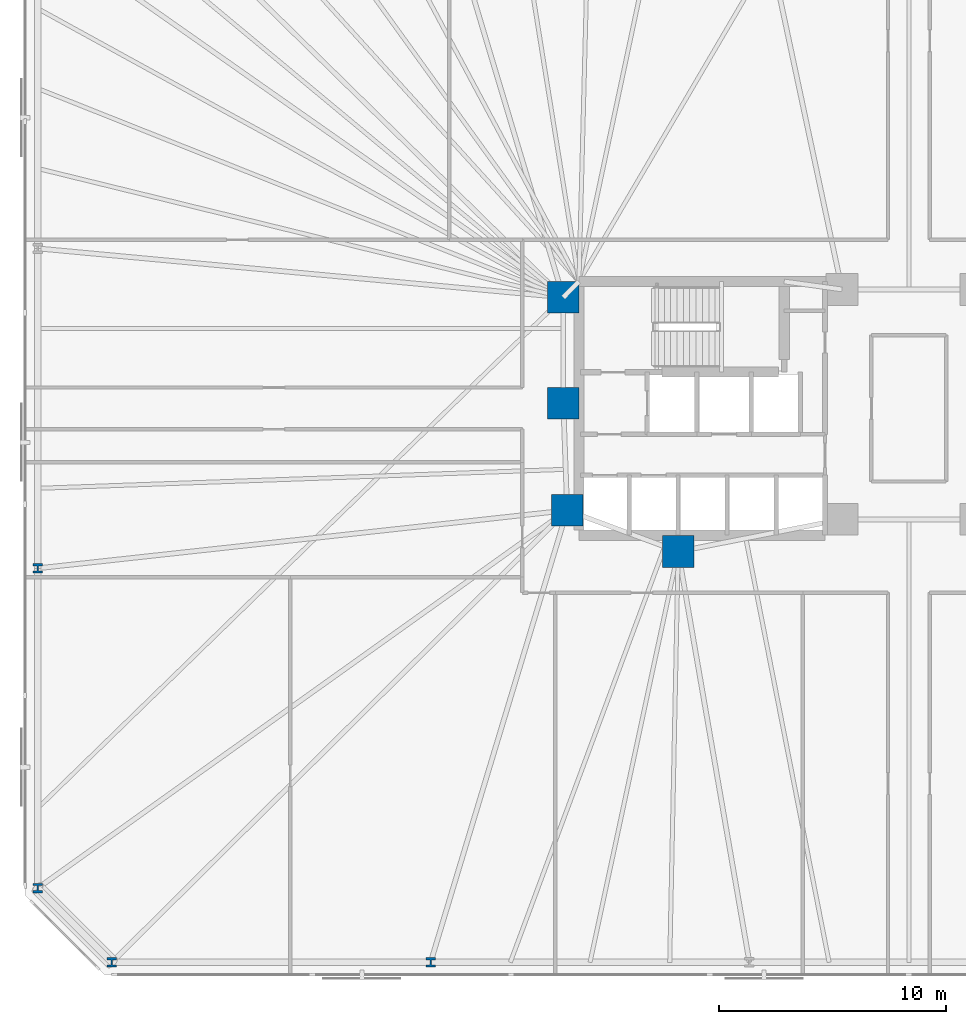
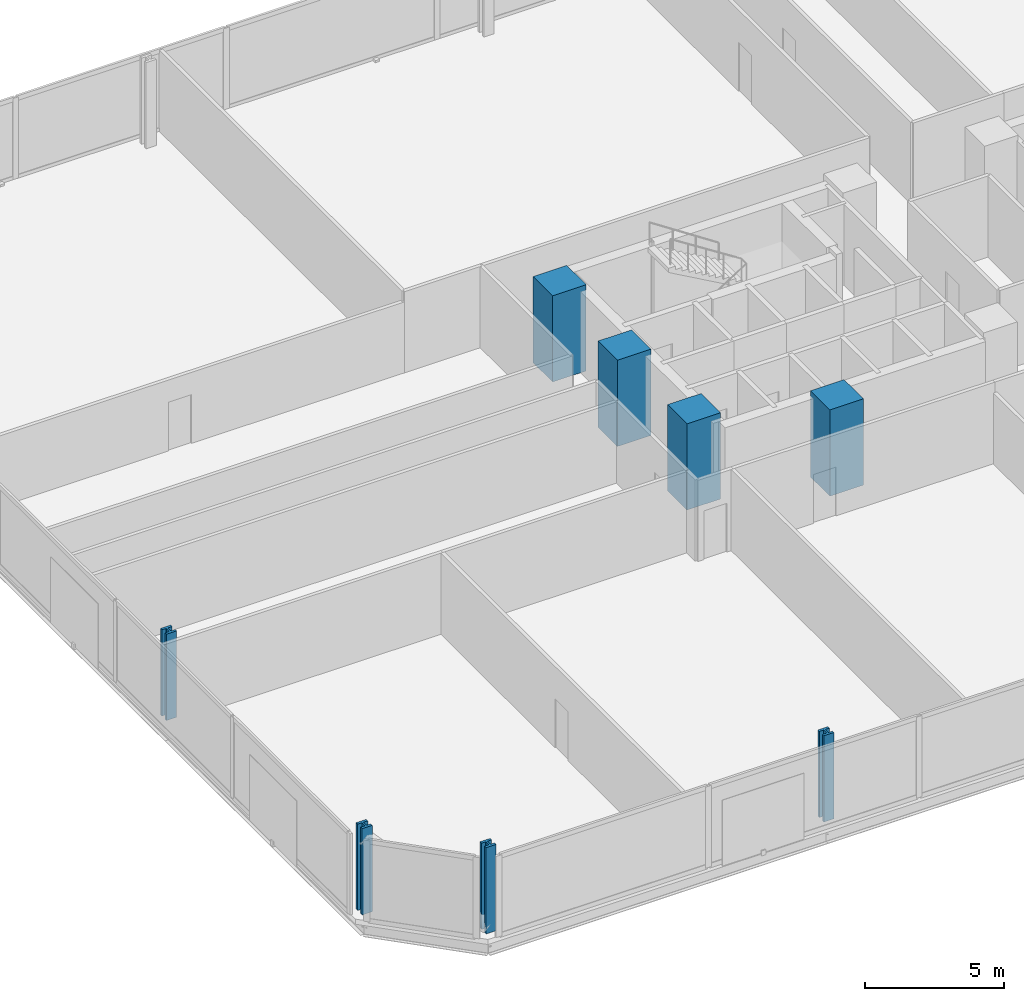
# One storey, part 1 of 17: 8 columns.
"""IFC4 building model written with IfcOpenShell, lengths in metres."""

from ifc_helpers import new_model, si_unit, direction, frame, origin, origin_2d, place, context, subcontext, project, spatial, rectangle, i_section, extrude, material, material_profile, profile_set, type_object, element, save


model = new_model("IFC4")

# Units and contexts
model_context = context("Model", 3, precision=1e-05, world=origin(), true_north=direction((0.0, 1.0)))
body_context = subcontext(model_context, "Body", "Model", "MODEL_VIEW")
ifc_project = project(units=[si_unit("LENGTHUNIT", "METRE"), si_unit("AREAUNIT", "SQUARE_METRE"), si_unit("VOLUMEUNIT", "CUBIC_METRE"), si_unit("PLANEANGLEUNIT", "RADIAN"), si_unit("MASSUNIT", "GRAM", prefix="KILO")], contexts=[model_context])

# Site, building, storey
site_placement = place(None, origin())
site = spatial("IfcSite", under=ifc_project, at=site_placement, CompositionType="ELEMENT")
building_placement = place(site_placement, origin())
building = spatial("IfcBuilding", under=site, at=building_placement, Name="Menara Jurai Vektor", CompositionType="ELEMENT")
storey_placement = place(building_placement, frame((0.0, 0.0, 56.0)))
storey = spatial("IfcBuildingStorey", under=building, at=storey_placement, Name="L13", CompositionType="ELEMENT", Elevation=56.0)

# Columns
ifc_material_1 = material(Name="Concrete C60/75", Category="concrete")
ifc_material_profile_1 = material_profile(ifc_material_1, rectangle(XDim=1.39990234375, YDim=1.39990234375, at=origin_2d()), Name="RC 1400x1400")
ifc_profile_set_1 = profile_set([ifc_material_profile_1], Name="Concrete C60/75")
column_type_1 = type_object("IfcColumnType", Name="STR-COL-RC1400", PredefinedType="COLUMN", material=ifc_profile_set_1)
for number, where, z_axis, x_axis, name in (
    (1, (-15.25, 4.89990234375, 0.0), (0.0, 0.0, 1.0), (1.0, 0.0, 0.0), "Core Spine Column CW-NW L13"),
    (2, (-15.25, 0.219970703125, 0.0), (0.0, 0.0, 1.0), (1.0, 0.0, 0.0), "Core Spine Column CW-WM L13"),
    (3, (-15.080078125, -4.5, 0.0), (0.0, 0.0, 1.0), (1.0, 0.0, 0.0), "Core Spine Column CW-SW L13"),
    (4, (-10.179931640625, -6.320068359375, 0.0), (0.0, 0.0, 1.0), (1.0, 0.0, 0.0), "Core Spine Column CW-SM L13"),
):
    element("IfcColumn", number, at=place(storey_placement, frame(where, z_axis=z_axis, x_axis=x_axis)), inside=storey, type_object=column_type_1, Name=name, PredefinedType="COLUMN", context=body_context, shape_type="SweptSolid", body=[
        extrude(rectangle(XDim=1.39990234375, YDim=1.39990234375, at=origin_2d()), origin(), (0.0, 0.0, 1.0), 3.800048828125),
    ])
ifc_material_2 = material(Name="Steel S460", Category="steel")
ifc_material_profile_2 = material_profile(ifc_material_2, i_section(OverallWidth=0.419921875, OverallDepth=0.430908203125, WebThickness=0.06494140625, FlangeThickness=0.10595703125, FilletRadius=0.014892578125, at=origin_2d()), Name="HD 400x900")
ifc_profile_set_2 = profile_set([ifc_material_profile_2], Name="Steel S460")
column_type_2 = type_object("IfcColumnType", Name="STR-EXO-BLK1", PredefinedType="COLUMN", material=ifc_profile_set_2)
for number, where, z_axis, x_axis, name in (
    (5, (-35.177734375, -24.449951171875, 0.0), (0.0, 0.0, 1.0), (1.0, 0.0, 0.0), "Exoskeleton Column BLK1-S1 L13"),
    (6, (-21.106689453125, -24.449951171875, 0.0), (0.0, 0.0, 1.0), (1.0, 0.0, 0.0), "Exoskeleton Column BLK1-S2 L13"),
    (7, (-38.449951171875, -7.059326171875, 0.0), (0.0, 0.0, 1.0), (1.0, 0.0, 0.0), "Exoskeleton Column BLK1-W3 L13"),
    (8, (-38.449951171875, -21.177734375, 0.0), (0.0, 0.0, 1.0), (1.0, 0.0, 0.0), "Exoskeleton Column BLK1-W4 L13"),
):
    element("IfcColumn", number, at=place(storey_placement, frame(where, z_axis=z_axis, x_axis=x_axis)), inside=storey, type_object=column_type_2, Name=name, PredefinedType="COLUMN", context=body_context, shape_type="SweptSolid", body=[
        extrude(i_section(OverallWidth=0.419921875, OverallDepth=0.430908203125, WebThickness=0.06494140625, FlangeThickness=0.10595703125, FilletRadius=0.014892578125, at=origin_2d()), origin(), (0.0, 0.0, 1.0), 3.800048828125),
    ])

save(model, "model.ifc")
